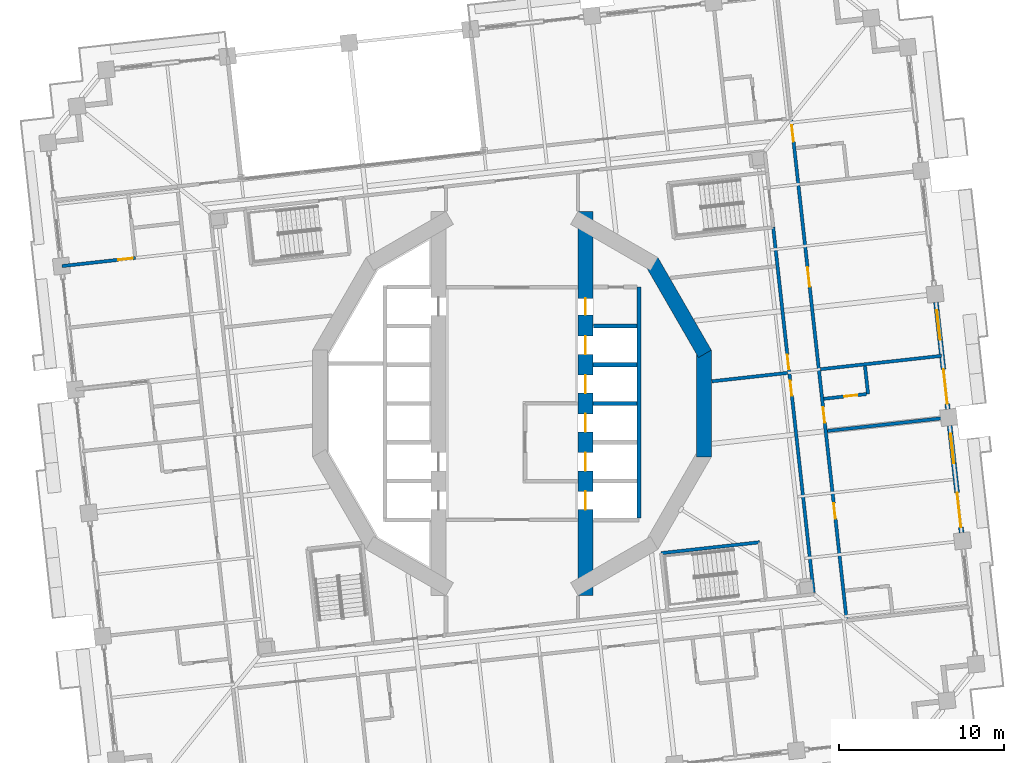
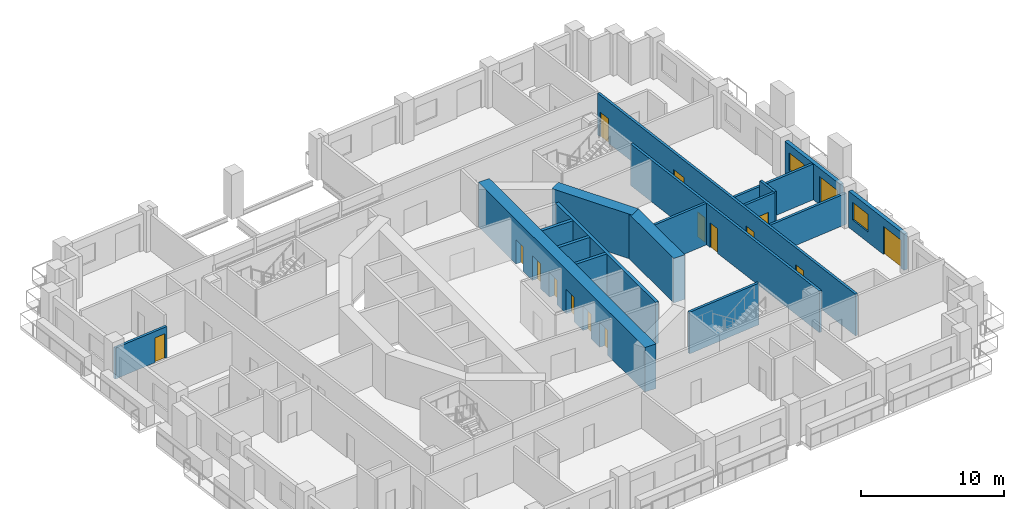
# One storey, part 10 of 21: 18 walls, 16 doors, 2 windows, 18 openings.
"""IFC4 building model written with IfcOpenShell, lengths in metres."""

from ifc_helpers import new_model, si_unit, direction, frame, frame_2d, origin, place, context, subcontext, project, spatial, rectangle, extrude, material, layer, layer_set, type_object, element, fill, save


model = new_model("IFC4")

# Units and contexts
model_context = context("Model", 3, precision=1e-05, world=origin(), true_north=direction((0.0, 1.0)))
body_context = subcontext(model_context, "Body", "Model", "MODEL_VIEW")
ifc_project = project(units=[si_unit("LENGTHUNIT", "METRE"), si_unit("AREAUNIT", "SQUARE_METRE"), si_unit("VOLUMEUNIT", "CUBIC_METRE"), si_unit("PLANEANGLEUNIT", "RADIAN"), si_unit("MASSUNIT", "GRAM", prefix="KILO")], contexts=[model_context])

# Site, building, storey
site_placement = place(None, origin())
site = spatial("IfcSite", under=ifc_project, at=site_placement, CompositionType="ELEMENT")
building_placement = place(site_placement, origin())
building = spatial("IfcBuilding", under=site, at=building_placement, Name="Cantera Rosa Tower", CompositionType="ELEMENT")
storey_placement = place(building_placement, frame((0.0, 0.0, 61.5)))
storey = spatial("IfcBuildingStorey", under=building, at=storey_placement, Name="L12", CompositionType="ELEMENT", Elevation=61.5)

# Wall, openings, doors
ifc_material_1 = material(Name="Gypsum board partition")
ifc_layer_1 = layer(ifc_material_1, 0.199951171875)
ifc_layer_set_1 = layer_set([ifc_layer_1], Name="CORRIDOR WALL 200 H3550")
wall_type_1 = type_object("IfcWallType", Name="CORRIDOR WALL 200 H3550", PredefinedType="PARTITIONING", material=ifc_layer_set_1)
wall_1_placement = place(storey_placement, frame((18.27490234375, -11.453857421875, 0.0), z_axis=(0.0, 0.0, 1.0), x_axis=(-0.110303935969, 0.993897903061, 0.0)))
wall_1 = element("IfcWall", 1, at=wall_1_placement, inside=storey, type_object=wall_type_1, Name="CORRIDOR WALL L12-102", PredefinedType="PARTITIONING", context=body_context, shape_type="SweptSolid", body=[
    extrude(rectangle(XDim=22.26171875, YDim=0.199951171875, at=frame_2d((11.130859375, 0.0))), origin(), (0.0, 0.0, 1.0), 3.550048828125),
])
opening_1_placement = place(wall_1_placement, frame((13.60009765625, 0.0, 0.0)))
opening_1 = element("IfcOpeningElement", 2, at=opening_1_placement, cuts=wall_1, Name="Opening L12-005", PredefinedType="OPENING", context=body_context, shape_type="SweptSolid", body=[
    extrude(rectangle(XDim=0.89990234375, YDim=2.10009765625, at=frame_2d((0.449951171875, 1.050048828125))), frame((0.0, 0.10986328125, 0.0), z_axis=(0.0, -1.0, 0.0), x_axis=(1.0, 0.0, 0.0)), (0.0, 0.0, 1.0), 0.219970703125),
])
opening_2_placement = place(wall_1_placement, frame((12.0048828125, 0.0, 0.0)))
opening_2 = element("IfcOpeningElement", 3, at=opening_2_placement, cuts=wall_1, Name="Opening L12-011", PredefinedType="OPENING", context=body_context, shape_type="SweptSolid", body=[
    extrude(rectangle(XDim=0.89990234375, YDim=2.10009765625, at=frame_2d((0.449951171875, 1.050048828125))), frame((0.0, 0.10986328125, 0.0), z_axis=(0.0, -1.0, 0.0), x_axis=(1.0, 0.0, 0.0)), (0.0, 0.0, 1.0), 0.219970703125),
])
ifc_material_2 = material(Name="Timber door leaf", Category="wood")
door_type_1 = type_object("IfcDoorType", Name="SERVICE DOOR 900x2100", OperationType="NOTDEFINED", PredefinedType="DOOR", material=ifc_material_2)
door_1_placement = place(opening_1_placement, origin())
door_1 = element("IfcDoor", 4, at=door_1_placement, inside=storey, type_object=door_type_1, Name="DOOR L12-005", OperationType="NOTDEFINED", OverallHeight=2.10009765625, OverallWidth=0.89990234375, PredefinedType="DOOR", context=body_context, shape_type="SweptSolid", body=[
    extrude(rectangle(XDim=0.89990234375, YDim=2.10009765625, at=frame_2d((0.449951171875, 1.050048828125))), frame((0.0, 0.02490234375, 0.0), z_axis=(0.0, -1.0, 0.0), x_axis=(1.0, 0.0, 0.0)), (0.0, 0.0, 1.0), 0.050048828125),
])
fill(opening_1, door_1)
door_2_placement = place(opening_2_placement, origin())
door_2 = element("IfcDoor", 5, at=door_2_placement, inside=storey, type_object=door_type_1, Name="DOOR L12-011", OperationType="NOTDEFINED", OverallHeight=2.10009765625, OverallWidth=0.89990234375, PredefinedType="DOOR", context=body_context, shape_type="SweptSolid", body=[
    extrude(rectangle(XDim=0.89990234375, YDim=2.10009765625, at=frame_2d((0.449951171875, 1.050048828125))), frame((0.0, 0.02490234375, 0.0), z_axis=(0.0, -1.0, 0.0), x_axis=(1.0, 0.0, 0.0)), (0.0, 0.0, 1.0), 0.050048828125),
])
fill(opening_2, door_2)

wall_2_placement = place(storey_placement, frame((20.2626953125, -13.04443359375, 0.0), z_axis=(0.0, 0.0, 1.0), x_axis=(-0.110312530755, 0.993896949164, 0.0)))
wall_2 = element("IfcWall", 6, at=wall_2_placement, inside=storey, type_object=wall_type_1, Name="CORRIDOR WALL L12-107", PredefinedType="PARTITIONING", context=body_context, shape_type="SweptSolid", body=[
    extrude(rectangle(XDim=30.400146484375, YDim=0.199951171875, at=frame_2d((15.2001953125, 0.0))), origin(), (0.0, 0.0, 1.0), 3.550048828125),
])
opening_3_placement = place(wall_2_placement, frame((20.239990234375, 0.0, 0.0)))
opening_3 = element("IfcOpeningElement", 7, at=opening_3_placement, cuts=wall_2, Name="Opening L12-018", PredefinedType="OPENING", context=body_context, shape_type="SweptSolid", body=[
    extrude(rectangle(XDim=1.199951171875, YDim=2.10009765625, at=frame_2d((0.60009765625, 1.050048828125))), frame((0.0, 0.10986328125, 0.0), z_axis=(0.0, -1.0, 0.0), x_axis=(1.0, 0.0, 0.0)), (0.0, 0.0, 1.0), 0.219970703125),
])
opening_4_placement = place(wall_2_placement, frame((6.094970703125, 0.0, 0.0)))
opening_4 = element("IfcOpeningElement", 8, at=opening_4_placement, cuts=wall_2, Name="Opening L12-019", PredefinedType="OPENING", context=body_context, shape_type="SweptSolid", body=[
    extrude(rectangle(XDim=0.949951171875, YDim=2.10009765625, at=frame_2d((0.47509765625, 1.050048828125))), frame((0.0, 0.10986328125, 0.0), z_axis=(0.0, -1.0, 0.0), x_axis=(1.0, 0.0, 0.0)), (0.0, 0.0, 1.0), 0.219970703125),
])
opening_5_placement = place(wall_2_placement, frame((11.945068359375, 0.0, 0.0)))
opening_5 = element("IfcOpeningElement", 9, at=opening_5_placement, cuts=wall_2, Name="Opening L12-021", PredefinedType="OPENING", context=body_context, shape_type="SweptSolid", body=[
    extrude(rectangle(XDim=0.949951171875, YDim=2.10009765625, at=frame_2d((0.47509765625, 1.050048828125))), frame((0.0, 0.10986328125, 0.0), z_axis=(0.0, -1.0, 0.0), x_axis=(1.0, 0.0, 0.0)), (0.0, 0.0, 1.0), 0.219970703125),
])
opening_6_placement = place(wall_2_placement, frame((29.090087890625, 0.0, 0.0)))
opening_6 = element("IfcOpeningElement", 10, at=opening_6_placement, cuts=wall_2, Name="Opening L12-023", PredefinedType="OPENING", context=body_context, shape_type="SweptSolid", body=[
    extrude(rectangle(XDim=1.0, YDim=2.10009765625, at=frame_2d((0.5, 1.050048828125))), frame((0.0, 0.10986328125, 0.0), z_axis=(0.0, -1.0, 0.0), x_axis=(1.0, 0.0, 0.0)), (0.0, 0.0, 1.0), 0.219970703125),
])
ifc_material_3 = material(Name="Timber door leaf", Category="wood")
door_type_2 = type_object("IfcDoorType", Name="ENTRANCE DOOR 1000x2100", OperationType="NOTDEFINED", PredefinedType="DOOR", material=ifc_material_3)
door_3_placement = place(opening_6_placement, origin())
door_3 = element("IfcDoor", 11, at=door_3_placement, inside=storey, type_object=door_type_2, Name="DOOR L12-023", OperationType="NOTDEFINED", OverallHeight=2.10009765625, OverallWidth=1.0, PredefinedType="DOOR", context=body_context, shape_type="SweptSolid", body=[
    extrude(rectangle(XDim=1.0, YDim=2.10009765625, at=frame_2d((0.5, 1.050048828125))), frame((0.0, 0.02490234375, 0.0), z_axis=(0.0, -1.0, 0.0), x_axis=(1.0, 0.0, 0.0)), (0.0, 0.0, 1.0), 0.050048828125),
])
fill(opening_6, door_3)
ifc_material_4 = material(Name="Timber door leaf", Category="wood")
door_type_3 = type_object("IfcDoorType", Name="ROOM DOOR 1200x2100", OperationType="NOTDEFINED", PredefinedType="DOOR", material=ifc_material_4)
door_4_placement = place(opening_3_placement, origin())
door_4 = element("IfcDoor", 12, at=door_4_placement, inside=storey, type_object=door_type_3, Name="DOOR L12-018", OperationType="NOTDEFINED", OverallHeight=2.10009765625, OverallWidth=1.199951171875, PredefinedType="DOOR", context=body_context, shape_type="SweptSolid", body=[
    extrude(rectangle(XDim=1.199951171875, YDim=2.10009765625, at=frame_2d((0.60009765625, 1.050048828125))), frame((0.0, 0.02490234375, 0.0), z_axis=(0.0, -1.0, 0.0), x_axis=(1.0, 0.0, 0.0)), (0.0, 0.0, 1.0), 0.050048828125),
])
fill(opening_3, door_4)
ifc_material_5 = material(Name="Timber door leaf", Category="wood")
door_type_4 = type_object("IfcDoorType", Name="ROOM DOOR 950x2100", OperationType="NOTDEFINED", PredefinedType="DOOR", material=ifc_material_5)
door_5_placement = place(opening_4_placement, origin())
door_5 = element("IfcDoor", 13, at=door_5_placement, inside=storey, type_object=door_type_4, Name="DOOR L12-019", OperationType="NOTDEFINED", OverallHeight=2.10009765625, OverallWidth=0.949951171875, PredefinedType="DOOR", context=body_context, shape_type="SweptSolid", body=[
    extrude(rectangle(XDim=0.949951171875, YDim=2.10009765625, at=frame_2d((0.47509765625, 1.050048828125))), frame((0.0, 0.02490234375, 0.0), z_axis=(0.0, -1.0, 0.0), x_axis=(1.0, 0.0, 0.0)), (0.0, 0.0, 1.0), 0.050048828125),
])
fill(opening_4, door_5)
door_6_placement = place(opening_5_placement, origin())
door_6 = element("IfcDoor", 14, at=door_6_placement, inside=storey, type_object=door_type_4, Name="DOOR L12-021", OperationType="NOTDEFINED", OverallHeight=2.10009765625, OverallWidth=0.949951171875, PredefinedType="DOOR", context=body_context, shape_type="SweptSolid", body=[
    extrude(rectangle(XDim=0.949951171875, YDim=2.10009765625, at=frame_2d((0.47509765625, 1.050048828125))), frame((0.0, 0.02490234375, 0.0), z_axis=(0.0, -1.0, 0.0), x_axis=(1.0, 0.0, 0.0)), (0.0, 0.0, 1.0), 0.050048828125),
])
fill(opening_5, door_6)

# Wall, openings, window, door
ifc_material_6 = material(Name="Hollow clay masonry with cantera stone cladding", Category="masonry")
ifc_layer_2 = layer(ifc_material_6, 0.300048828125)
ifc_layer_set_2 = layer_set([ifc_layer_2], Name="EW-LOGGIA 300 H3090")
wall_type_2 = type_object("IfcWallType", Name="EW-LOGGIA 300 H3090", PredefinedType="SOLIDWALL", material=ifc_layer_set_2)
wall_3_placement = place(storey_placement, frame((27.229248046875, -7.823974609375, 0.0), z_axis=(0.0, 0.0, 1.0), x_axis=(-0.110312341265, 0.993896970196, 0.0)))
wall_3 = element("IfcWall", 15, at=wall_3_placement, inside=storey, type_object=wall_type_2, Name="EN-L12-W02", PredefinedType="SOLIDWALL", context=body_context, shape_type="SweptSolid", body=[
    extrude(rectangle(XDim=6.52001953125, YDim=0.300048828125, at=frame_2d((3.260009765625, 0.0))), origin(), (0.0, 0.0, 1.0), 3.090087890625),
])
opening_7_placement = place(wall_3_placement, frame((0.330078125, 0.0, 0.0)))
opening_7 = element("IfcOpeningElement", 16, at=opening_7_placement, cuts=wall_3, Name="Opening L12-TD03", PredefinedType="OPENING", context=body_context, shape_type="SweptSolid", body=[
    extrude(rectangle(XDim=2.10009765625, YDim=2.39990234375, at=frame_2d((1.050048828125, 1.199951171875))), frame((0.0, 0.159912109375, 0.0), z_axis=(0.0, -1.0, 0.0), x_axis=(1.0, 0.0, 0.0)), (0.0, 0.0, 1.0), 0.320068359375),
])
opening_8_placement = place(wall_3_placement, frame((4.239990234375, 0.0, 0.89990234375)))
opening_8 = element("IfcOpeningElement", 17, at=opening_8_placement, cuts=wall_3, Name="Opening L12-W04", PredefinedType="OPENING", context=body_context, shape_type="SweptSolid", body=[
    extrude(rectangle(XDim=1.800048828125, YDim=1.5, at=frame_2d((0.89990234375, 0.75))), frame((0.0, 0.159912109375, 0.0), z_axis=(0.0, -1.0, 0.0), x_axis=(1.0, 0.0, 0.0)), (0.0, 0.0, 1.0), 0.320068359375),
])
ifc_material_7 = material(Name="Aluminium frame with clear glass", Category="aluminium")
window_type = type_object("IfcWindowType", Name="Hotel room window 1800x1500", PartitioningType="DOUBLE_PANEL_VERTICAL", PredefinedType="WINDOW", material=ifc_material_7)
window_1_placement = place(opening_8_placement, origin())
window_1 = element("IfcWindow", 18, at=window_1_placement, inside=storey, type_object=window_type, Name="WINDOW L12-W04", OverallHeight=1.5, OverallWidth=1.800048828125, PartitioningType="SINGLE_PANEL", PredefinedType="WINDOW", context=body_context, shape_type="SweptSolid", body=[
    extrude(rectangle(XDim=1.800048828125, YDim=1.5, at=frame_2d((0.89990234375, 0.75))), frame((0.0, 0.030029296875, 0.0), z_axis=(0.0, -1.0, 0.0), x_axis=(1.0, 0.0, 0.0)), (0.0, 0.0, 1.0), 0.06005859375),
])
fill(opening_8, window_1)
ifc_material_8 = material(Name="Aluminium frame with clear glass", Category="aluminium")
door_type_5 = type_object("IfcDoorType", Name="TD-H 2100x2400", OperationType="NOTDEFINED", PredefinedType="DOOR", material=ifc_material_8)
door_7_placement = place(opening_7_placement, origin())
door_7 = element("IfcDoor", 19, at=door_7_placement, inside=storey, type_object=door_type_5, Name="LOGGIA DOOR L12-TD03", OperationType="SLIDING_TO_LEFT", OverallHeight=2.39990234375, OverallWidth=2.10009765625, PredefinedType="DOOR", context=body_context, shape_type="SweptSolid", body=[
    extrude(rectangle(XDim=2.10009765625, YDim=2.39990234375, at=frame_2d((1.050048828125, 1.199951171875))), frame((0.0, 0.02490234375, 0.0), z_axis=(0.0, -1.0, 0.0), x_axis=(1.0, 0.0, 0.0)), (0.0, 0.0, 1.0), 0.050048828125),
])
fill(opening_7, door_7)

wall_4_placement = place(storey_placement, frame((26.399658203125, -0.349853515625, 0.0), z_axis=(0.0, 0.0, 1.0), x_axis=(-0.110312341265, 0.993896970196, 0.0)))
wall_4 = element("IfcWall", 20, at=wall_4_placement, inside=storey, type_object=wall_type_2, Name="EN-L12-W03", PredefinedType="SOLIDWALL", context=body_context, shape_type="SweptSolid", body=[
    extrude(rectangle(XDim=6.52001953125, YDim=0.300048828125, at=frame_2d((3.260009765625, 0.0))), origin(), (0.0, 0.0, 1.0), 3.090087890625),
])
opening_9_placement = place(wall_4_placement, frame((0.330078125, 0.0, 0.0)))
opening_9 = element("IfcOpeningElement", 21, at=opening_9_placement, cuts=wall_4, Name="Opening L12-TD05", PredefinedType="OPENING", context=body_context, shape_type="SweptSolid", body=[
    extrude(rectangle(XDim=2.10009765625, YDim=2.39990234375, at=frame_2d((1.050048828125, 1.199951171875))), frame((0.0, 0.159912109375, 0.0), z_axis=(0.0, -1.0, 0.0), x_axis=(1.0, 0.0, 0.0)), (0.0, 0.0, 1.0), 0.320068359375),
])
opening_10_placement = place(wall_4_placement, frame((4.239990234375, 0.0, 0.89990234375)))
opening_10 = element("IfcOpeningElement", 22, at=opening_10_placement, cuts=wall_4, Name="Opening L12-W06", PredefinedType="OPENING", context=body_context, shape_type="SweptSolid", body=[
    extrude(rectangle(XDim=1.800048828125, YDim=1.5, at=frame_2d((0.89990234375, 0.75))), frame((0.0, 0.159912109375, 0.0), z_axis=(0.0, -1.0, 0.0), x_axis=(1.0, 0.0, 0.0)), (0.0, 0.0, 1.0), 0.320068359375),
])
window_2_placement = place(opening_10_placement, origin())
window_2 = element("IfcWindow", 23, at=window_2_placement, inside=storey, type_object=window_type, Name="WINDOW L12-W06", OverallHeight=1.5, OverallWidth=1.800048828125, PartitioningType="SINGLE_PANEL", PredefinedType="WINDOW", context=body_context, shape_type="SweptSolid", body=[
    extrude(rectangle(XDim=1.800048828125, YDim=1.5, at=frame_2d((0.89990234375, 0.75))), frame((0.0, 0.030029296875, 0.0), z_axis=(0.0, -1.0, 0.0), x_axis=(1.0, 0.0, 0.0)), (0.0, 0.0, 1.0), 0.06005859375),
])
fill(opening_10, window_2)
door_8_placement = place(opening_9_placement, origin())
door_8 = element("IfcDoor", 24, at=door_8_placement, inside=storey, type_object=door_type_5, Name="LOGGIA DOOR L12-TD05", OperationType="SLIDING_TO_LEFT", OverallHeight=2.39990234375, OverallWidth=2.10009765625, PredefinedType="DOOR", context=body_context, shape_type="SweptSolid", body=[
    extrude(rectangle(XDim=2.10009765625, YDim=2.39990234375, at=frame_2d((1.050048828125, 1.199951171875))), frame((0.0, 0.02490234375, 0.0), z_axis=(0.0, -1.0, 0.0), x_axis=(1.0, 0.0, 0.0)), (0.0, 0.0, 1.0), 0.050048828125),
])
fill(opening_9, door_8)

# Wall, opening, door
ifc_material_9 = material(Name="Gypsum board partition")
ifc_layer_3 = layer(ifc_material_9, 0.199951171875)
ifc_layer_set_3 = layer_set([ifc_layer_3], Name="PARTITION 200 H2650")
wall_type_3 = type_object("IfcWallType", Name="PARTITION 200 H2650", PredefinedType="PARTITIONING", material=ifc_layer_set_3)
wall_5_placement = place(storey_placement, frame((-22.81201171875, 8.8173828125, 0.0), z_axis=(0.0, 0.0, 1.0), x_axis=(-0.993895052822, -0.11032961514, 0.0)))
wall_5 = element("IfcWall", 25, at=wall_5_placement, inside=storey, type_object=wall_type_3, Name="PARTITION L12-003", PredefinedType="PARTITIONING", context=body_context, shape_type="SweptSolid", body=[
    extrude(rectangle(XDim=4.469970703125, YDim=0.199951171875, at=frame_2d((2.23486328125, 0.0))), origin(), (0.0, 0.0, 1.0), 2.64990234375),
])
opening_11_placement = place(wall_5_placement, frame((0.14990234375, 0.0, 0.0)))
opening_11 = element("IfcOpeningElement", 26, at=opening_11_placement, cuts=wall_5, Name="Opening L12-030", PredefinedType="OPENING", context=body_context, shape_type="SweptSolid", body=[
    extrude(rectangle(XDim=0.89990234375, YDim=2.10009765625, at=frame_2d((0.449951171875, 1.050048828125))), frame((0.0, 0.10986328125, 0.0), z_axis=(0.0, -1.0, 0.0), x_axis=(1.0, 0.0, 0.0)), (0.0, 0.0, 1.0), 0.219970703125),
])
ifc_material_10 = material(Name="Timber door leaf", Category="wood")
door_type_6 = type_object("IfcDoorType", Name="ROOM DOOR 900x2100", OperationType="NOTDEFINED", PredefinedType="DOOR", material=ifc_material_10)
door_9_placement = place(opening_11_placement, origin())
door_9 = element("IfcDoor", 27, at=door_9_placement, inside=storey, type_object=door_type_6, Name="DOOR L12-030", OperationType="NOTDEFINED", OverallHeight=2.10009765625, OverallWidth=0.89990234375, PredefinedType="DOOR", context=body_context, shape_type="SweptSolid", body=[
    extrude(rectangle(XDim=0.89990234375, YDim=2.10009765625, at=frame_2d((0.449951171875, 1.050048828125))), frame((0.0, 0.02490234375, 0.0), z_axis=(0.0, -1.0, 0.0), x_axis=(1.0, 0.0, 0.0)), (0.0, 0.0, 1.0), 0.050048828125),
])
fill(opening_11, door_9)

# Walls
ifc_material_11 = material(Name="Gypsum board partition")
ifc_layer_4 = layer(ifc_material_11, 0.199951171875)
ifc_layer_set_4 = layer_set([ifc_layer_4], Name="PARTITION 200 H3550")
wall_type_4 = type_object("IfcWallType", Name="PARTITION 200 H3550", PredefinedType="PARTITIONING", material=ifc_layer_set_4)
wall_6_placement = place(storey_placement, frame((16.697509765625, 1.853271484375, 0.0), z_axis=(0.0, 0.0, 1.0), x_axis=(-0.993898542439, -0.11029817468, 0.0)))
element("IfcWall", 28, at=wall_6_placement, inside=storey, type_object=wall_type_4, Name="PARTITION L12-091", PredefinedType="PARTITIONING", context=body_context, shape_type="SweptSolid", body=[
    extrude(rectangle(XDim=4.621826171875, YDim=0.199951171875, at=frame_2d((2.31103515625, 0.0))), origin(), (0.0, 0.0, 1.0), 3.550048828125),
])
wall_7_placement = place(storey_placement, frame((21.3798828125, 2.272216796875, 0.0), z_axis=(0.0, 0.0, 1.0), x_axis=(0.110305413813, -0.993897739047, 0.0)))
element("IfcWall", 29, at=wall_7_placement, inside=storey, type_object=wall_type_4, Name="PARTITION L12-108", PredefinedType="PARTITIONING", context=body_context, shape_type="SweptSolid", body=[
    extrude(rectangle(XDim=1.69970703125, YDim=0.199951171875, at=frame_2d((0.849853515625, 0.0))), origin(), (0.0, 0.0, 1.0), 3.550048828125),
])

# Wall, opening, door
wall_8_placement = place(storey_placement, frame((21.468017578125, 0.57177734375, 0.0), z_axis=(0.0, 0.0, 1.0), x_axis=(-0.993895180132, -0.110328468272, 0.0)))
wall_8 = element("IfcWall", 30, at=wall_8_placement, inside=storey, type_object=wall_type_4, Name="PARTITION L12-109", PredefinedType="PARTITIONING", context=body_context, shape_type="SweptSolid", body=[
    extrude(rectangle(XDim=2.60009765625, YDim=0.199951171875, at=frame_2d((1.300048828125, 0.0))), origin(), (0.0, 0.0, 1.0), 3.550048828125),
])
opening_12_placement = place(wall_8_placement, frame((0.56396484375, 0.0, 0.0)))
opening_12 = element("IfcOpeningElement", 31, at=opening_12_placement, cuts=wall_8, Name="Opening L12-022", PredefinedType="OPENING", context=body_context, shape_type="SweptSolid", body=[
    extrude(rectangle(XDim=0.800048828125, YDim=2.10009765625, at=frame_2d((0.39990234375, 1.050048828125))), frame((0.0, 0.10986328125, 0.0), z_axis=(0.0, -1.0, 0.0), x_axis=(1.0, 0.0, 0.0)), (0.0, 0.0, 1.0), 0.219970703125),
])
ifc_material_12 = material(Name="Timber door leaf", Category="wood")
door_type_7 = type_object("IfcDoorType", Name="BATHROOM DOOR 800x2100", OperationType="NOTDEFINED", PredefinedType="DOOR", material=ifc_material_12)
door_10_placement = place(opening_12_placement, origin())
door_10 = element("IfcDoor", 32, at=door_10_placement, inside=storey, type_object=door_type_7, Name="DOOR L12-022", OperationType="NOTDEFINED", OverallHeight=2.10009765625, OverallWidth=0.800048828125, PredefinedType="DOOR", context=body_context, shape_type="SweptSolid", body=[
    extrude(rectangle(XDim=0.800048828125, YDim=2.10009765625, at=frame_2d((0.39990234375, 1.050048828125))), frame((0.0, 0.02490234375, 0.0), z_axis=(0.0, -1.0, 0.0), x_axis=(1.0, 0.0, 0.0)), (0.0, 0.0, 1.0), 0.050048828125),
])
fill(opening_12, door_10)

# Walls
ifc_material_13 = material(Name="Gypsum board partition")
ifc_layer_5 = layer(ifc_material_13, 0.199951171875)
ifc_layer_set_5 = layer_set([ifc_layer_5], Name="PARTY WALL 200 H2650")
wall_type_5 = type_object("IfcWallType", Name="PARTY WALL 200 H2650", PredefinedType="PARTITIONING", material=ifc_layer_set_5)
wall_9_placement = place(storey_placement, frame((19.10009765625, -1.6630859375, 0.0), z_axis=(0.0, 0.0, 1.0), x_axis=(0.993897058864, 0.11031154238, 0.0)))
element("IfcWall", 33, at=wall_9_placement, inside=storey, type_object=wall_type_5, Name="PARTY WALL L12-104", PredefinedType="PARTITIONING", context=body_context, shape_type="SweptSolid", body=[
    extrude(rectangle(XDim=7.369873046875, YDim=0.199951171875, at=frame_2d((3.68505859375, 0.0))), origin(), (0.0, 0.0, 1.0), 2.64990234375),
])
ifc_material_14 = material(Name="Gypsum board partition")
ifc_layer_6 = layer(ifc_material_14, 0.199951171875)
ifc_layer_set_6 = layer_set([ifc_layer_6], Name="PARTY WALL 200 H3050")
wall_type_6 = type_object("IfcWallType", Name="PARTY WALL 200 H3050", PredefinedType="PARTITIONING", material=ifc_layer_set_6)
wall_10_placement = place(storey_placement, frame((18.685302734375, 2.073974609375, 0.0), z_axis=(0.0, 0.0, 1.0), x_axis=(0.993897058864, 0.11031154238, 0.0)))
element("IfcWall", 34, at=wall_10_placement, inside=storey, type_object=wall_type_6, Name="PARTY WALL L12-103", PredefinedType="PARTITIONING", context=body_context, shape_type="SweptSolid", body=[
    extrude(rectangle(XDim=7.369873046875, YDim=0.199951171875, at=frame_2d((3.68505859375, 0.0))), origin(), (0.0, 0.0, 1.0), 3.050048828125),
])
ifc_material_15 = material(Name="Concrete C70/85", Category="concrete")
ifc_layer_7 = layer(ifc_material_15, 0.89990234375)
ifc_layer_set_7 = layer_set([ifc_layer_7], Name="RC CORE WALL 900 C70/85")
wall_type_7 = type_object("IfcWallType", Name="RC CORE WALL 900 C70/85", PredefinedType="SHEAR", material=ifc_layer_set_7)
wall_11_placement = place(storey_placement, frame((8.44921875, 8.61376953125, 0.0), z_axis=(0.0, 0.0, 1.0), x_axis=(0.499990282633, -0.866031014036, 0.0)))
element("IfcWall", 35, at=wall_11_placement, inside=storey, type_object=wall_type_7, Name="CW-E2 L12", PredefinedType="SHEAR", context=body_context, shape_type="SweptSolid", body=[
    extrude(rectangle(XDim=6.470458984375, YDim=0.89990234375, at=frame_2d((3.2353515625, 0.0))), origin(), (0.0, 0.0, 1.0), 3.800048828125),
])
wall_12_placement = place(storey_placement, frame((11.6240234375, 3.2353515625, 0.0), z_axis=(0.0, 0.0, 1.0), x_axis=(0.0, -1.0, 0.0)))
element("IfcWall", 36, at=wall_12_placement, inside=storey, type_object=wall_type_7, Name="CW-E3 L12", PredefinedType="SHEAR", context=body_context, shape_type="SweptSolid", body=[
    extrude(rectangle(XDim=6.470703125, YDim=0.89990234375, at=frame_2d((3.2353515625, 0.0))), origin(), (0.0, 0.0, 1.0), 3.800048828125),
])

# Wall, openings, doors
wall_13_placement = place(storey_placement, frame((4.449951171875, -11.632568359375, 0.0), z_axis=(0.0, 0.0, 1.0), x_axis=(0.0, 1.0, 0.0)))
wall_13 = element("IfcWall", 37, at=wall_13_placement, inside=storey, type_object=wall_type_7, Name="CW-E6 L12", PredefinedType="SHEAR", context=body_context, shape_type="SweptSolid", body=[
    extrude(rectangle(XDim=23.26513671875, YDim=0.89990234375, at=frame_2d((11.632568359375, 0.0))), origin(), (0.0, 0.0, 1.0), 3.800048828125),
])
opening_13_placement = place(wall_13_placement, frame((7.5576171875, 0.0, 0.0)))
opening_13 = element("IfcOpeningElement", 38, at=opening_13_placement, cuts=wall_13, Name="Opening LD-FF1-L12", PredefinedType="OPENING", context=body_context, shape_type="SweptSolid", body=[
    extrude(rectangle(XDim=1.10009765625, YDim=2.10009765625, at=frame_2d((0.550048828125, 1.050048828125))), frame((0.0, 0.4599609375, 0.0), z_axis=(0.0, -1.0, 0.0), x_axis=(1.0, 0.0, 0.0)), (0.0, 0.0, 1.0), 0.919921875),
])
opening_14_placement = place(wall_13_placement, frame((9.907470703125, 0.0, 0.0)))
opening_14 = element("IfcOpeningElement", 39, at=opening_14_placement, cuts=wall_13, Name="Opening LD-FF2-L12", PredefinedType="OPENING", context=body_context, shape_type="SweptSolid", body=[
    extrude(rectangle(XDim=1.10009765625, YDim=2.10009765625, at=frame_2d((0.550048828125, 1.050048828125))), frame((0.0, 0.4599609375, 0.0), z_axis=(0.0, -1.0, 0.0), x_axis=(1.0, 0.0, 0.0)), (0.0, 0.0, 1.0), 0.919921875),
])
opening_15_placement = place(wall_13_placement, frame((12.257568359375, 0.0, 0.0)))
opening_15 = element("IfcOpeningElement", 40, at=opening_15_placement, cuts=wall_13, Name="Opening LD-P1-L12", PredefinedType="OPENING", context=body_context, shape_type="SweptSolid", body=[
    extrude(rectangle(XDim=1.10009765625, YDim=2.10009765625, at=frame_2d((0.550048828125, 1.050048828125))), frame((0.0, 0.4599609375, 0.0), z_axis=(0.0, -1.0, 0.0), x_axis=(1.0, 0.0, 0.0)), (0.0, 0.0, 1.0), 0.919921875),
])
opening_16_placement = place(wall_13_placement, frame((14.607421875, 0.0, 0.0)))
opening_16 = element("IfcOpeningElement", 41, at=opening_16_placement, cuts=wall_13, Name="Opening LD-P2-L12", PredefinedType="OPENING", context=body_context, shape_type="SweptSolid", body=[
    extrude(rectangle(XDim=1.10009765625, YDim=2.10009765625, at=frame_2d((0.550048828125, 1.050048828125))), frame((0.0, 0.4599609375, 0.0), z_axis=(0.0, -1.0, 0.0), x_axis=(1.0, 0.0, 0.0)), (0.0, 0.0, 1.0), 0.919921875),
])
opening_17_placement = place(wall_13_placement, frame((5.20751953125, 0.0, 0.0)))
opening_17 = element("IfcOpeningElement", 42, at=opening_17_placement, cuts=wall_13, Name="Opening LD-P6-L12", PredefinedType="OPENING", context=body_context, shape_type="SweptSolid", body=[
    extrude(rectangle(XDim=1.10009765625, YDim=2.10009765625, at=frame_2d((0.550048828125, 1.050048828125))), frame((0.0, 0.4599609375, 0.0), z_axis=(0.0, -1.0, 0.0), x_axis=(1.0, 0.0, 0.0)), (0.0, 0.0, 1.0), 0.919921875),
])
opening_18_placement = place(wall_13_placement, frame((17.007568359375, 0.0, 0.0)))
opening_18 = element("IfcOpeningElement", 43, at=opening_18_placement, cuts=wall_13, Name="Opening SD-L12-17", PredefinedType="OPENING", context=body_context, shape_type="SweptSolid", body=[
    extrude(rectangle(XDim=1.0, YDim=2.10009765625, at=frame_2d((0.5, 1.050048828125))), frame((0.0, 0.4599609375, 0.0), z_axis=(0.0, -1.0, 0.0), x_axis=(1.0, 0.0, 0.0)), (0.0, 0.0, 1.0), 0.919921875),
])
ifc_material_16 = material(Name="Steel S355J2 (EN 10025-2)", Category="steel")
door_type_8 = type_object("IfcDoorType", Name="LANDING DOOR 1100x2100", OperationType="NOTDEFINED", PredefinedType="DOOR", material=ifc_material_16)
door_11_placement = place(opening_13_placement, origin())
door_11 = element("IfcDoor", 44, at=door_11_placement, inside=storey, type_object=door_type_8, Name="LANDING DOOR FF1 L12", OperationType="SLIDING_TO_LEFT", OverallHeight=2.10009765625, OverallWidth=1.10009765625, PredefinedType="DOOR", context=body_context, shape_type="SweptSolid", body=[
    extrude(rectangle(XDim=1.10009765625, YDim=2.10009765625, at=frame_2d((0.550048828125, 1.050048828125))), frame((0.0, 0.02490234375, 0.0), z_axis=(0.0, -1.0, 0.0), x_axis=(1.0, 0.0, 0.0)), (0.0, 0.0, 1.0), 0.050048828125),
])
fill(opening_13, door_11)
door_12_placement = place(opening_14_placement, origin())
door_12 = element("IfcDoor", 45, at=door_12_placement, inside=storey, type_object=door_type_8, Name="LANDING DOOR FF2 L12", OperationType="SLIDING_TO_LEFT", OverallHeight=2.10009765625, OverallWidth=1.10009765625, PredefinedType="DOOR", context=body_context, shape_type="SweptSolid", body=[
    extrude(rectangle(XDim=1.10009765625, YDim=2.10009765625, at=frame_2d((0.550048828125, 1.050048828125))), frame((0.0, 0.02490234375, 0.0), z_axis=(0.0, -1.0, 0.0), x_axis=(1.0, 0.0, 0.0)), (0.0, 0.0, 1.0), 0.050048828125),
])
fill(opening_14, door_12)
door_13_placement = place(opening_15_placement, origin())
door_13 = element("IfcDoor", 46, at=door_13_placement, inside=storey, type_object=door_type_8, Name="LANDING DOOR P1 L12", OperationType="SLIDING_TO_LEFT", OverallHeight=2.10009765625, OverallWidth=1.10009765625, PredefinedType="DOOR", context=body_context, shape_type="SweptSolid", body=[
    extrude(rectangle(XDim=1.10009765625, YDim=2.10009765625, at=frame_2d((0.550048828125, 1.050048828125))), frame((0.0, 0.02490234375, 0.0), z_axis=(0.0, -1.0, 0.0), x_axis=(1.0, 0.0, 0.0)), (0.0, 0.0, 1.0), 0.050048828125),
])
fill(opening_15, door_13)
door_14_placement = place(opening_16_placement, origin())
door_14 = element("IfcDoor", 47, at=door_14_placement, inside=storey, type_object=door_type_8, Name="LANDING DOOR P2 L12", OperationType="SLIDING_TO_LEFT", OverallHeight=2.10009765625, OverallWidth=1.10009765625, PredefinedType="DOOR", context=body_context, shape_type="SweptSolid", body=[
    extrude(rectangle(XDim=1.10009765625, YDim=2.10009765625, at=frame_2d((0.550048828125, 1.050048828125))), frame((0.0, 0.02490234375, 0.0), z_axis=(0.0, -1.0, 0.0), x_axis=(1.0, 0.0, 0.0)), (0.0, 0.0, 1.0), 0.050048828125),
])
fill(opening_16, door_14)
door_15_placement = place(opening_17_placement, origin())
door_15 = element("IfcDoor", 48, at=door_15_placement, inside=storey, type_object=door_type_8, Name="LANDING DOOR P6 L12", OperationType="SLIDING_TO_LEFT", OverallHeight=2.10009765625, OverallWidth=1.10009765625, PredefinedType="DOOR", context=body_context, shape_type="SweptSolid", body=[
    extrude(rectangle(XDim=1.10009765625, YDim=2.10009765625, at=frame_2d((0.550048828125, 1.050048828125))), frame((0.0, 0.02490234375, 0.0), z_axis=(0.0, -1.0, 0.0), x_axis=(1.0, 0.0, 0.0)), (0.0, 0.0, 1.0), 0.050048828125),
])
fill(opening_17, door_15)
ifc_material_17 = material(Name="Timber door leaf", Category="wood")
door_type_9 = type_object("IfcDoorType", Name="SERVICE DOOR 1000x2100", OperationType="NOTDEFINED", PredefinedType="DOOR", material=ifc_material_17)
door_16_placement = place(opening_18_placement, origin())
door_16 = element("IfcDoor", 49, at=door_16_placement, inside=storey, type_object=door_type_9, Name="DOOR L12-SD17", OperationType="NOTDEFINED", OverallHeight=2.10009765625, OverallWidth=1.0, PredefinedType="DOOR", context=body_context, shape_type="SweptSolid", body=[
    extrude(rectangle(XDim=1.0, YDim=2.10009765625, at=frame_2d((0.5, 1.050048828125))), frame((0.0, 0.02490234375, 0.0), z_axis=(0.0, -1.0, 0.0), x_axis=(1.0, 0.0, 0.0)), (0.0, 0.0, 1.0), 0.050048828125),
])
fill(opening_18, door_16)

# Walls
ifc_material_18 = material(Name="Masonry blockwork", Category="masonry")
ifc_layer_8 = layer(ifc_material_18, 0.25)
ifc_layer_set_8 = layer_set([ifc_layer_8], Name="SHAFT WALL 250 H3550")
wall_type_8 = type_object("IfcWallType", Name="SHAFT WALL 250 H3550", PredefinedType="SOLIDWALL", material=ifc_layer_set_8)
wall_14_placement = place(storey_placement, frame((4.89990234375, 0.0, 0.0), z_axis=(0.0, 0.0, 1.0), x_axis=(1.0, 0.0, 0.0)))
element("IfcWall", 50, at=wall_14_placement, inside=storey, type_object=wall_type_8, Name="SHAFT WALL L12-062", PredefinedType="SOLIDWALL", context=body_context, shape_type="SweptSolid", body=[
    extrude(rectangle(XDim=2.675048828125, YDim=0.25, at=frame_2d((1.33740234375, 0.0))), origin(), (0.0, 0.0, 1.0), 3.550048828125),
])
wall_15_placement = place(storey_placement, frame((7.699951171875, -6.929931640625, 0.0), z_axis=(0.0, 0.0, 1.0), x_axis=(0.0, 1.0, 0.0)))
element("IfcWall", 51, at=wall_15_placement, inside=storey, type_object=wall_type_8, Name="SHAFT WALL L12-064", PredefinedType="SOLIDWALL", context=body_context, shape_type="SweptSolid", body=[
    extrude(rectangle(XDim=13.97998046875, YDim=0.25, at=frame_2d((6.989990234375, 0.0))), origin(), (0.0, 0.0, 1.0), 3.550048828125),
])
wall_16_placement = place(storey_placement, frame((7.574951171875, 2.35009765625, 0.0), z_axis=(0.0, 0.0, 1.0), x_axis=(-1.0, 0.0, 0.0)))
element("IfcWall", 52, at=wall_16_placement, inside=storey, type_object=wall_type_8, Name="SHAFT WALL L12-066", PredefinedType="SOLIDWALL", context=body_context, shape_type="SweptSolid", body=[
    extrude(rectangle(XDim=2.675048828125, YDim=0.25, at=frame_2d((1.33740234375, 0.0))), origin(), (0.0, 0.0, 1.0), 3.550048828125),
])
wall_17_placement = place(storey_placement, frame((7.574951171875, 4.699951171875, 0.0), z_axis=(0.0, 0.0, 1.0), x_axis=(-1.0, 0.0, 0.0)))
element("IfcWall", 53, at=wall_17_placement, inside=storey, type_object=wall_type_8, Name="SHAFT WALL L12-067", PredefinedType="SOLIDWALL", context=body_context, shape_type="SweptSolid", body=[
    extrude(rectangle(XDim=2.64501953125, YDim=0.25, at=frame_2d((1.322509765625, 0.0))), origin(), (0.0, 0.0, 1.0), 3.550048828125),
])
ifc_material_19 = material(Name="Concrete C50/60", Category="concrete")
ifc_layer_9 = layer(ifc_material_19, 0.199951171875)
ifc_layer_set_9 = layer_set([ifc_layer_9], Name="STAIR WALL 200 H3550")
wall_type_9 = type_object("IfcWallType", Name="STAIR WALL 200 H3550", PredefinedType="SOLIDWALL", material=ifc_layer_set_9)
wall_18_placement = place(storey_placement, frame((14.996826171875, -8.404296875, 0.0), z_axis=(0.0, 0.0, 1.0), x_axis=(-0.993897125329, -0.110310943534, 0.0)))
element("IfcWall", 54, at=wall_18_placement, inside=storey, type_object=wall_type_9, Name="STAIR WALL L12-083", PredefinedType="SOLIDWALL", context=body_context, shape_type="SweptSolid", body=[
    extrude(rectangle(XDim=6.0, YDim=0.199951171875, at=frame_2d((3.0, 0.0))), origin(), (0.0, 0.0, 1.0), 3.550048828125),
])

save(model, "model.ifc")
